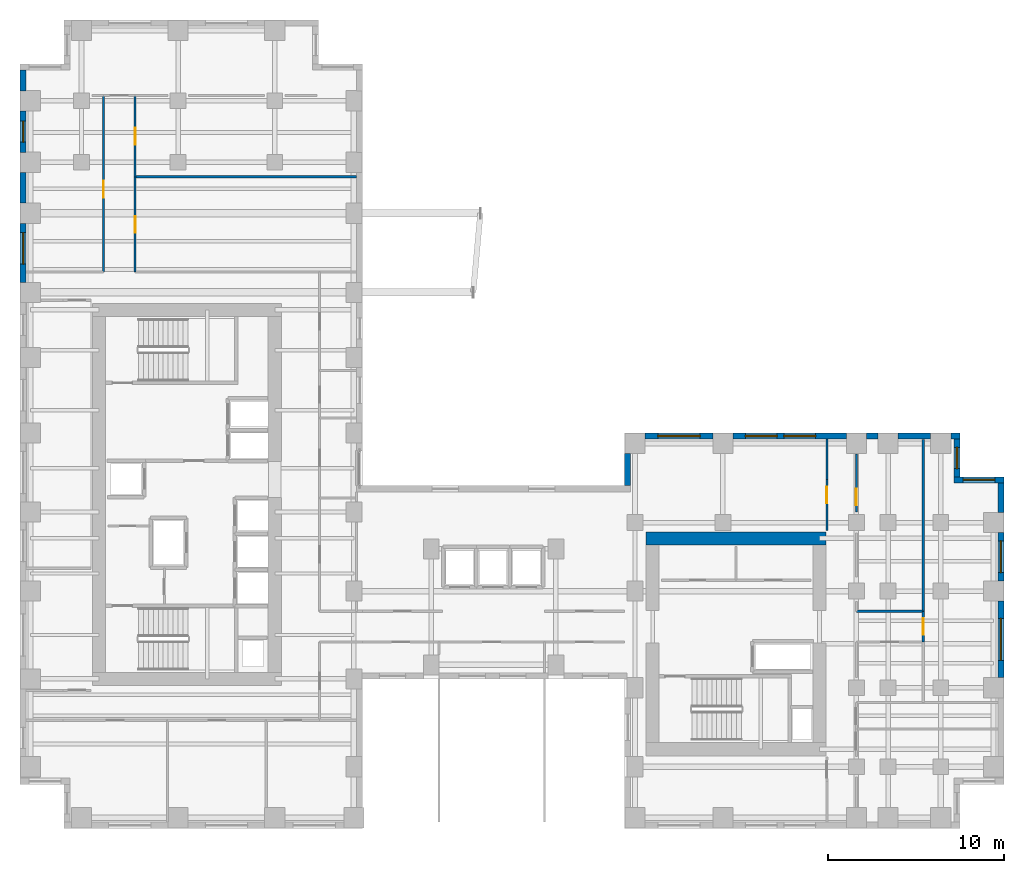
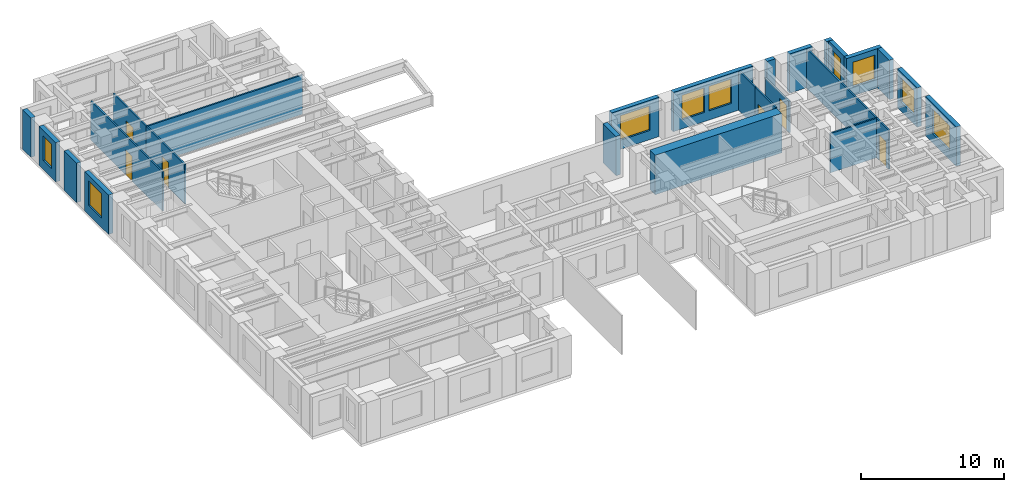
# One storey, part 10 of 13: 26 walls, 9 windows, 6 doors, 15 openings.
"""IFC4 building model written with IfcOpenShell, lengths in metres."""

from ifc_helpers import new_model, si_unit, direction, frame, frame_2d, origin, place, context, subcontext, project, spatial, rectangle, extrude, source, transform, mapped, material, layer, layer_set, type_object, element, fill, save


model = new_model("IFC4")

# Units and contexts
model_context = context("Model", 3, precision=1e-05, world=origin(), true_north=direction((0.0, 1.0)))
body_context = subcontext(model_context, "Body", "Model", "MODEL_VIEW")
ifc_project = project(units=[si_unit("LENGTHUNIT", "METRE"), si_unit("AREAUNIT", "SQUARE_METRE"), si_unit("VOLUMEUNIT", "CUBIC_METRE"), si_unit("PLANEANGLEUNIT", "RADIAN"), si_unit("MASSUNIT", "GRAM", prefix="KILO")], contexts=[model_context])

# Site, building, storey
site_placement = place(None, origin())
site = spatial("IfcSite", under=ifc_project, at=site_placement, CompositionType="ELEMENT")
building_placement = place(site_placement, origin())
building = spatial("IfcBuilding", under=site, at=building_placement, Name="Kharzan Plaza Tower", CompositionType="ELEMENT")
storey_placement = place(building_placement, frame((0.0, 0.0, 95.39990234375)))
storey = spatial("IfcBuildingStorey", under=building, at=storey_placement, Name="L25", CompositionType="ELEMENT", Elevation=95.39990234375)

# Wall, opening, window
ifc_material_1 = material(Name="Concrete C40/50", Category="concrete")
ifc_layer_1 = layer(ifc_material_1, 0.35009765625)
ifc_layer_set_1 = layer_set([ifc_layer_1], Name="Concrete C40/50")
wall_type_1 = type_object("IfcWallType", Name="WL-EXT-MAS-Z2", PredefinedType="SOLIDWALL", material=ifc_layer_set_1)
wall_1_placement = place(storey_placement, frame((0.175048828125, 40.826904296875, 0.0), z_axis=(0.0, 0.0, 1.0), x_axis=(0.0, -1.0, 0.0)))
wall_1 = element("IfcWall", 1, at=wall_1_placement, inside=storey, type_object=wall_type_1, Name="L25 Masonry-Frame Exterior Wall 17", PredefinedType="SOLIDWALL", context=body_context, shape_type="SweptSolid", body=[
    extrude(rectangle(XDim=2.35400390625, YDim=0.35009765625, at=frame_2d((1.177001953125, 0.0))), origin(), (0.0, 0.0, 1.0), 3.364990234375),
])
opening_1_placement = place(wall_1_placement, frame((0.576904296875, 0.0, 0.780029296875)))
opening_1 = element("IfcOpeningElement", 2, at=opening_1_placement, cuts=wall_1, Name="Opening W3", PredefinedType="OPENING", context=body_context, shape_type="SweptSolid", body=[
    extrude(rectangle(XDim=1.199951171875, YDim=2.10009765625, at=frame_2d((0.60009765625, 1.050048828125))), frame((0.0, 0.18505859375, 0.0), z_axis=(0.0, -1.0, 0.0), x_axis=(1.0, 0.0, 0.0)), (0.0, 0.0, 1.0), 0.3701171875),
])
ifc_material_2 = material(Name="Low-E Double Glazing", Category="glass")
window_type_1 = type_object("IfcWindowType", Name="WN-REC-1200x2100", PartitioningType="SINGLE_PANEL", PredefinedType="WINDOW", material=ifc_material_2)
shared_shape_1 = source(origin(), body_context, "Body", "SweptSolid", [
    extrude(rectangle(XDim=1.199951171875, YDim=2.10009765625, at=frame_2d((0.60009765625, 1.050048828125))), frame((0.0, 0.030029296875, 0.0), z_axis=(0.0, -1.0, 0.0), x_axis=(1.0, 0.0, 0.0)), (0.0, 0.0, 1.0), 0.06005859375),
])
window_1_placement = place(opening_1_placement, origin())
window_1 = element("IfcWindow", 3, at=window_1_placement, inside=storey, type_object=window_type_1, Name="L25 Recessed Solar-Control Window 17-1", OverallHeight=2.10009765625, OverallWidth=1.199951171875, PartitioningType="SINGLE_PANEL", PredefinedType="WINDOW", context=body_context, shape_type="MappedRepresentation", body=[
    mapped(shared_shape_1, transform((0.0, 0.0, 0.0), x_axis=(1.0, 0.0, 0.0), y_axis=(0.0, 1.0, 0.0), z_axis=(0.0, 0.0, 1.0))),
])
fill(opening_1, window_1)

wall_2_placement = place(storey_placement, frame((0.175048828125, 34.427001953125, 0.0), z_axis=(0.0, 0.0, 1.0), x_axis=(0.0, -1.0, 0.0)))
wall_2 = element("IfcWall", 4, at=wall_2_placement, inside=storey, type_object=wall_type_1, Name="L25 Masonry-Frame Exterior Wall 19", PredefinedType="SOLIDWALL", context=body_context, shape_type="SweptSolid", body=[
    extrude(rectangle(XDim=3.35400390625, YDim=0.35009765625, at=frame_2d((1.677001953125, 0.0))), origin(), (0.0, 0.0, 1.0), 3.364990234375),
])
opening_2_placement = place(wall_2_placement, frame((0.5234375, 0.0, 0.780029296875)))
opening_2 = element("IfcOpeningElement", 5, at=opening_2_placement, cuts=wall_2, Name="Opening W1", PredefinedType="OPENING", context=body_context, shape_type="SweptSolid", body=[
    extrude(rectangle(XDim=1.800048828125, YDim=2.10009765625, at=frame_2d((0.89990234375, 1.050048828125))), frame((0.0, 0.18505859375, 0.0), z_axis=(0.0, -1.0, 0.0), x_axis=(1.0, 0.0, 0.0)), (0.0, 0.0, 1.0), 0.3701171875),
])
window_type_2 = type_object("IfcWindowType", Name="WN-REC-1800x2100", PartitioningType="SINGLE_PANEL", PredefinedType="WINDOW", material=ifc_material_2)
shared_shape_2 = source(origin(), body_context, "Body", "SweptSolid", [
    extrude(rectangle(XDim=1.800048828125, YDim=2.10009765625, at=frame_2d((0.89990234375, 1.050048828125))), frame((0.0, 0.030029296875, 0.0), z_axis=(0.0, -1.0, 0.0), x_axis=(1.0, 0.0, 0.0)), (0.0, 0.0, 1.0), 0.06005859375),
])
window_2_placement = place(opening_2_placement, origin())
window_2 = element("IfcWindow", 6, at=window_2_placement, inside=storey, type_object=window_type_2, Name="L25 Recessed Solar-Control Window 19-1", OverallHeight=2.10009765625, OverallWidth=1.800048828125, PartitioningType="SINGLE_PANEL", PredefinedType="WINDOW", context=body_context, shape_type="MappedRepresentation", body=[
    mapped(shared_shape_2, transform((0.0, 0.0, 0.0), x_axis=(1.0, 0.0, 0.0), y_axis=(0.0, 1.0, 0.0), z_axis=(0.0, 0.0, 1.0))),
])
fill(opening_2, window_2)

wall_3_placement = place(storey_placement, frame((55.824951171875, 8.572998046875, 0.0), z_axis=(0.0, 0.0, 1.0), x_axis=(0.0, 1.0, 0.0)))
wall_3 = element("IfcWall", 7, at=wall_3_placement, inside=storey, type_object=wall_type_1, Name="L25 Masonry-Frame Exterior Wall 47", PredefinedType="SOLIDWALL", context=body_context, shape_type="SweptSolid", body=[
    extrude(rectangle(XDim=4.35400390625, YDim=0.35009765625, at=frame_2d((2.177001953125, 0.0))), origin(), (0.0, 0.0, 1.0), 3.364990234375),
])
opening_3_placement = place(wall_3_placement, frame((0.97705078125, 0.0, 0.780029296875)))
opening_3 = element("IfcOpeningElement", 8, at=opening_3_placement, cuts=wall_3, Name="Opening W2", PredefinedType="OPENING", context=body_context, shape_type="SweptSolid", body=[
    extrude(rectangle(XDim=2.39990234375, YDim=2.10009765625, at=frame_2d((1.199951171875, 1.050048828125))), frame((0.0, 0.18505859375, 0.0), z_axis=(0.0, -1.0, 0.0), x_axis=(1.0, 0.0, 0.0)), (0.0, 0.0, 1.0), 0.3701171875),
])
window_type_3 = type_object("IfcWindowType", Name="WN-REC-2400x2100", PartitioningType="SINGLE_PANEL", PredefinedType="WINDOW", material=ifc_material_2)
shared_shape_3 = source(origin(), body_context, "Body", "SweptSolid", [
    extrude(rectangle(XDim=2.39990234375, YDim=2.10009765625, at=frame_2d((1.199951171875, 1.050048828125))), frame((0.0, 0.030029296875, 0.0), z_axis=(0.0, -1.0, 0.0), x_axis=(1.0, 0.0, 0.0)), (0.0, 0.0, 1.0), 0.06005859375),
])
window_3_placement = place(opening_3_placement, origin())
window_3 = element("IfcWindow", 9, at=window_3_placement, inside=storey, type_object=window_type_3, Name="L25 Wide Recessed Solar-Control Window 47-1", OverallHeight=2.10009765625, OverallWidth=2.39990234375, PartitioningType="SINGLE_PANEL", PredefinedType="WINDOW", context=body_context, shape_type="MappedRepresentation", body=[
    mapped(shared_shape_3, transform((0.0, 0.0, 0.0), x_axis=(1.0, 0.0, 0.0), y_axis=(0.0, 1.0, 0.0), z_axis=(0.0, 0.0, 1.0))),
])
fill(opening_3, window_3)

wall_4_placement = place(storey_placement, frame((55.824951171875, 14.072998046875, 0.0), z_axis=(0.0, 0.0, 1.0), x_axis=(0.0, 1.0, 0.0)))
wall_4 = element("IfcWall", 10, at=wall_4_placement, inside=storey, type_object=wall_type_1, Name="L25 Masonry-Frame Exterior Wall 48", PredefinedType="SOLIDWALL", context=body_context, shape_type="SweptSolid", body=[
    extrude(rectangle(XDim=2.75390625, YDim=0.35009765625, at=frame_2d((1.376953125, 0.0))), origin(), (0.0, 0.0, 1.0), 3.364990234375),
])
opening_4_placement = place(wall_4_placement, frame((0.47705078125, 0.0, 0.780029296875)))
opening_4 = element("IfcOpeningElement", 11, at=opening_4_placement, cuts=wall_4, Name="Opening W1", PredefinedType="OPENING", context=body_context, shape_type="SweptSolid", body=[
    extrude(rectangle(XDim=1.800048828125, YDim=2.10009765625, at=frame_2d((0.89990234375, 1.050048828125))), frame((0.0, 0.18505859375, 0.0), z_axis=(0.0, -1.0, 0.0), x_axis=(1.0, 0.0, 0.0)), (0.0, 0.0, 1.0), 0.3701171875),
])
window_4_placement = place(opening_4_placement, origin())
window_4 = element("IfcWindow", 12, at=window_4_placement, inside=storey, type_object=window_type_2, Name="L25 Recessed Solar-Control Window 48-1", OverallHeight=2.10009765625, OverallWidth=1.800048828125, PartitioningType="SINGLE_PANEL", PredefinedType="WINDOW", context=body_context, shape_type="MappedRepresentation", body=[
    mapped(shared_shape_2, transform((0.0, 0.0, 0.0), x_axis=(1.0, 0.0, 0.0), y_axis=(0.0, 1.0, 0.0), z_axis=(0.0, 0.0, 1.0))),
])
fill(opening_4, window_4)

wall_5_placement = place(storey_placement, frame((56.0, 19.824951171875, 0.0), z_axis=(0.0, 0.0, 1.0), x_axis=(-1.0, 0.0, 0.0)))
wall_5 = element("IfcWall", 13, at=wall_5_placement, inside=storey, type_object=wall_type_1, Name="L25 Masonry-Frame Exterior Wall 50", PredefinedType="SOLIDWALL", context=body_context, shape_type="SweptSolid", body=[
    extrude(rectangle(XDim=2.85009765625, YDim=0.35009765625, at=frame_2d((1.425048828125, 0.0))), origin(), (0.0, 0.0, 1.0), 3.364990234375),
])
opening_5_placement = place(wall_5_placement, frame((0.52490234375, 0.0, 0.780029296875)))
opening_5 = element("IfcOpeningElement", 14, at=opening_5_placement, cuts=wall_5, Name="Opening W1", PredefinedType="OPENING", context=body_context, shape_type="SweptSolid", body=[
    extrude(rectangle(XDim=1.800048828125, YDim=2.10009765625, at=frame_2d((0.89990234375, 1.050048828125))), frame((0.0, 0.18505859375, 0.0), z_axis=(0.0, -1.0, 0.0), x_axis=(1.0, 0.0, 0.0)), (0.0, 0.0, 1.0), 0.3701171875),
])
window_5_placement = place(opening_5_placement, origin())
window_5 = element("IfcWindow", 15, at=window_5_placement, inside=storey, type_object=window_type_2, Name="L25 Recessed Solar-Control Window 50-1", OverallHeight=2.10009765625, OverallWidth=1.800048828125, PartitioningType="SINGLE_PANEL", PredefinedType="WINDOW", context=body_context, shape_type="MappedRepresentation", body=[
    mapped(shared_shape_2, transform((0.0, 0.0, 0.0), x_axis=(1.0, 0.0, 0.0), y_axis=(0.0, 1.0, 0.0), z_axis=(0.0, 0.0, 1.0))),
])
fill(opening_5, window_5)

wall_6_placement = place(storey_placement, frame((53.324951171875, 19.998046875, 0.0), z_axis=(0.0, 0.0, 1.0), x_axis=(0.0, 1.0, 0.0)))
wall_6 = element("IfcWall", 16, at=wall_6_placement, inside=storey, type_object=wall_type_1, Name="L25 Masonry-Frame Exterior Wall 51", PredefinedType="SOLIDWALL", context=body_context, shape_type="SweptSolid", body=[
    extrude(rectangle(XDim=2.154052734375, YDim=0.35009765625, at=frame_2d((1.0771484375, 0.0))), origin(), (0.0, 0.0, 1.0), 3.364990234375),
])
opening_6_placement = place(wall_6_placement, frame((0.47705078125, 0.0, 0.780029296875)))
opening_6 = element("IfcOpeningElement", 17, at=opening_6_placement, cuts=wall_6, Name="Opening W3", PredefinedType="OPENING", context=body_context, shape_type="SweptSolid", body=[
    extrude(rectangle(XDim=1.199951171875, YDim=2.10009765625, at=frame_2d((0.60009765625, 1.050048828125))), frame((0.0, 0.18505859375, 0.0), z_axis=(0.0, -1.0, 0.0), x_axis=(1.0, 0.0, 0.0)), (0.0, 0.0, 1.0), 0.3701171875),
])
window_6_placement = place(opening_6_placement, origin())
window_6 = element("IfcWindow", 18, at=window_6_placement, inside=storey, type_object=window_type_1, Name="L25 Recessed Solar-Control Window 51-1", OverallHeight=2.10009765625, OverallWidth=1.199951171875, PartitioningType="SINGLE_PANEL", PredefinedType="WINDOW", context=body_context, shape_type="MappedRepresentation", body=[
    mapped(shared_shape_1, transform((0.0, 0.0, 0.0), x_axis=(1.0, 0.0, 0.0), y_axis=(0.0, 1.0, 0.0), z_axis=(0.0, 0.0, 1.0))),
])
fill(opening_6, window_6)

# Wall, openings, windows
wall_7_placement = place(storey_placement, frame((47.027099609375, 22.324951171875, 0.0), z_axis=(0.0, 0.0, 1.0), x_axis=(-1.0, 0.0, 0.0)))
wall_7 = element("IfcWall", 19, at=wall_7_placement, inside=storey, type_object=wall_type_1, Name="L25 Masonry-Frame Exterior Wall 55", PredefinedType="SOLIDWALL", context=body_context, shape_type="SweptSolid", body=[
    extrude(rectangle(XDim=6.4541015625, YDim=0.35009765625, at=frame_2d((3.22705078125, 0.0))), origin(), (0.0, 0.0, 1.0), 3.364990234375),
])
opening_7_placement = place(wall_7_placement, frame((1.749267578125, 0.0, 0.780029296875)))
opening_7 = element("IfcOpeningElement", 20, at=opening_7_placement, cuts=wall_7, Name="Opening W1", PredefinedType="OPENING", context=body_context, shape_type="SweptSolid", body=[
    extrude(rectangle(XDim=1.800048828125, YDim=2.10009765625, at=frame_2d((0.89990234375, 1.050048828125))), frame((0.0, 0.18505859375, 0.0), z_axis=(0.0, -1.0, 0.0), x_axis=(1.0, 0.0, 0.0)), (0.0, 0.0, 1.0), 0.3701171875),
])
opening_8_placement = place(wall_7_placement, frame((3.941650390625, 0.0, 0.780029296875)))
opening_8 = element("IfcOpeningElement", 21, at=opening_8_placement, cuts=wall_7, Name="Opening W1", PredefinedType="OPENING", context=body_context, shape_type="SweptSolid", body=[
    extrude(rectangle(XDim=1.800048828125, YDim=2.10009765625, at=frame_2d((0.89990234375, 1.050048828125))), frame((0.0, 0.18505859375, 0.0), z_axis=(0.0, -1.0, 0.0), x_axis=(1.0, 0.0, 0.0)), (0.0, 0.0, 1.0), 0.3701171875),
])
window_7_placement = place(opening_7_placement, origin())
window_7 = element("IfcWindow", 22, at=window_7_placement, inside=storey, type_object=window_type_2, Name="L25 Recessed Solar-Control Window 55-1", OverallHeight=2.10009765625, OverallWidth=1.800048828125, PartitioningType="SINGLE_PANEL", PredefinedType="WINDOW", context=body_context, shape_type="MappedRepresentation", body=[
    mapped(shared_shape_2, transform((0.0, 0.0, 0.0), x_axis=(1.0, 0.0, 0.0), y_axis=(0.0, 1.0, 0.0), z_axis=(0.0, 0.0, 1.0))),
])
fill(opening_7, window_7)
window_8_placement = place(opening_8_placement, origin())
window_8 = element("IfcWindow", 23, at=window_8_placement, inside=storey, type_object=window_type_2, Name="L25 Recessed Solar-Control Window 55-2", OverallHeight=2.10009765625, OverallWidth=1.800048828125, PartitioningType="SINGLE_PANEL", PredefinedType="WINDOW", context=body_context, shape_type="MappedRepresentation", body=[
    mapped(shared_shape_2, transform((0.0, 0.0, 0.0), x_axis=(1.0, 0.0, 0.0), y_axis=(0.0, 1.0, 0.0), z_axis=(0.0, 0.0, 1.0))),
])
fill(opening_8, window_8)

# Wall, opening, window
wall_8_placement = place(storey_placement, frame((39.427001953125, 22.324951171875, 0.0), z_axis=(0.0, 0.0, 1.0), x_axis=(-1.0, 0.0, 0.0)))
wall_8 = element("IfcWall", 24, at=wall_8_placement, inside=storey, type_object=wall_type_1, Name="L25 Masonry-Frame Exterior Wall 56", PredefinedType="SOLIDWALL", context=body_context, shape_type="SweptSolid", body=[
    extrude(rectangle(XDim=3.85400390625, YDim=0.35009765625, at=frame_2d((1.927001953125, 0.0))), origin(), (0.0, 0.0, 1.0), 3.364990234375),
])
opening_9_placement = place(wall_8_placement, frame((0.72705078125, 0.0, 0.780029296875)))
opening_9 = element("IfcOpeningElement", 25, at=opening_9_placement, cuts=wall_8, Name="Opening W2", PredefinedType="OPENING", context=body_context, shape_type="SweptSolid", body=[
    extrude(rectangle(XDim=2.39990234375, YDim=2.10009765625, at=frame_2d((1.199951171875, 1.050048828125))), frame((0.0, 0.18505859375, 0.0), z_axis=(0.0, -1.0, 0.0), x_axis=(1.0, 0.0, 0.0)), (0.0, 0.0, 1.0), 0.3701171875),
])
window_9_placement = place(opening_9_placement, origin())
window_9 = element("IfcWindow", 26, at=window_9_placement, inside=storey, type_object=window_type_3, Name="L25 Wide Recessed Solar-Control Window 56-1", OverallHeight=2.10009765625, OverallWidth=2.39990234375, PartitioningType="SINGLE_PANEL", PredefinedType="WINDOW", context=body_context, shape_type="MappedRepresentation", body=[
    mapped(shared_shape_3, transform((0.0, 0.0, 0.0), x_axis=(1.0, 0.0, 0.0), y_axis=(0.0, 1.0, 0.0), z_axis=(0.0, 0.0, 1.0))),
])
fill(opening_9, window_9)

# Wall, opening, door
ifc_material_3 = material(Name="Fire-Rated Gypsum Board Partition", Category="gypsum")
ifc_layer_2 = layer(ifc_material_3, 0.125)
ifc_layer_set_2 = layer_set([ifc_layer_2], Name="Fire-Rated Gypsum Board Partition")
wall_type_2 = type_object("IfcWallType", Name="WL-INT-PART-125", PredefinedType="PARTITIONING", material=ifc_layer_set_2)
wall_9_placement = place(storey_placement, frame((51.39990234375, 10.60009765625, 0.0), z_axis=(0.0, 0.0, 1.0), x_axis=(0.0, 1.0, 0.0)))
wall_9 = element("IfcWall", 27, at=wall_9_placement, inside=storey, type_object=wall_type_2, Name="L25 Interior Partition SH-B2E2", PredefinedType="PARTITIONING", context=body_context, shape_type="SweptSolid", body=[
    extrude(rectangle(XDim=1.75, YDim=0.125, at=frame_2d((0.875, 0.0))), origin(), (0.0, 0.0, 1.0), 3.364990234375),
])
opening_10_placement = place(wall_9_placement, frame((0.39990234375, 0.0, 0.0)))
opening_10 = element("IfcOpeningElement", 28, at=opening_10_placement, cuts=wall_9, Name="Opening OD1", PredefinedType="OPENING", context=body_context, shape_type="SweptSolid", body=[
    extrude(rectangle(XDim=0.949951171875, YDim=2.14990234375, at=frame_2d((0.47509765625, 1.074951171875))), frame((0.0, 0.072509765625, 0.0), z_axis=(0.0, -1.0, 0.0), x_axis=(1.0, 0.0, 0.0)), (0.0, 0.0, 1.0), 0.14501953125),
])
ifc_material_4 = material(Name="Acoustic Solid-Core Stained Oak", Category="timber")
door_type = type_object("IfcDoorType", Name="DR-OFF-SINGLE", OperationType="NOTDEFINED", PredefinedType="DOOR", material=ifc_material_4)
shared_shape_4 = source(origin(), body_context, "Body", "SweptSolid", [
    extrude(rectangle(XDim=0.949951171875, YDim=2.14990234375, at=frame_2d((0.47509765625, 1.074951171875))), frame((0.0, 0.02490234375, 0.0), z_axis=(0.0, -1.0, 0.0), x_axis=(1.0, 0.0, 0.0)), (0.0, 0.0, 1.0), 0.050048828125),
])
door_1_placement = place(opening_10_placement, origin())
door_1 = element("IfcDoor", 29, at=door_1_placement, inside=storey, type_object=door_type, Name="L25 East Boardroom Door", OperationType="SINGLE_SWING_RIGHT", OverallHeight=2.14990234375, OverallWidth=0.949951171875, PredefinedType="DOOR", context=body_context, shape_type="MappedRepresentation", body=[
    mapped(shared_shape_4, transform((0.0, 0.0, 0.0), x_axis=(1.0, 0.0, 0.0), y_axis=(0.0, 1.0, 0.0), z_axis=(0.0, 0.0, 1.0))),
])
fill(opening_10, door_1)

wall_10_placement = place(storey_placement, frame((47.60009765625, 17.989990234375, 0.0), z_axis=(0.0, 0.0, 1.0), x_axis=(0.0, 1.0, 0.0)))
wall_10 = element("IfcWall", 30, at=wall_10_placement, inside=storey, type_object=wall_type_2, Name="L25 Interior Partition SH-B2W3D-S2", PredefinedType="PARTITIONING", context=body_context, shape_type="SweptSolid", body=[
    extrude(rectangle(XDim=3.320068359375, YDim=0.125, at=frame_2d((1.66015625, 0.0))), origin(), (0.0, 0.0, 1.0), 2.677001953125),
])
opening_11_placement = place(wall_10_placement, frame((0.381103515625, 0.0, 0.0)))
opening_11 = element("IfcOpeningElement", 31, at=opening_11_placement, cuts=wall_10, Name="Opening OD1", PredefinedType="OPENING", context=body_context, shape_type="SweptSolid", body=[
    extrude(rectangle(XDim=0.949951171875, YDim=2.14990234375, at=frame_2d((0.47509765625, 1.074951171875))), frame((0.0, 0.072509765625, 0.0), z_axis=(0.0, -1.0, 0.0), x_axis=(1.0, 0.0, 0.0)), (0.0, 0.0, 1.0), 0.14501953125),
])
door_2_placement = place(opening_11_placement, origin())
door_2 = element("IfcDoor", 32, at=door_2_placement, inside=storey, type_object=door_type, Name="L25 Spur North Office Door", OperationType="SINGLE_SWING_RIGHT", OverallHeight=2.14990234375, OverallWidth=0.949951171875, PredefinedType="DOOR", context=body_context, shape_type="MappedRepresentation", body=[
    mapped(shared_shape_4, transform((0.0, 0.0, 0.0), x_axis=(1.0, 0.0, 0.0), y_axis=(0.0, 1.0, 0.0), z_axis=(0.0, 0.0, 1.0))),
])
fill(opening_11, door_2)

wall_11_placement = place(storey_placement, frame((45.919921875, 16.949951171875, 0.0), z_axis=(0.0, 0.0, 1.0), x_axis=(0.0, 1.0, 0.0)))
wall_11 = element("IfcWall", 33, at=wall_11_placement, inside=storey, type_object=wall_type_2, Name="L25 Interior Partition SH-RBNE", PredefinedType="PARTITIONING", context=body_context, shape_type="SweptSolid", body=[
    extrude(rectangle(XDim=2.900146484375, YDim=0.125, at=frame_2d((1.4501953125, 0.0))), origin(), (0.0, 0.0, 1.0), 3.364990234375),
])
opening_12_placement = place(wall_11_placement, frame((1.54296875, 0.0, 0.0)))
opening_12 = element("IfcOpeningElement", 34, at=opening_12_placement, cuts=wall_11, Name="Opening OD1", PredefinedType="OPENING", context=body_context, shape_type="SweptSolid", body=[
    extrude(rectangle(XDim=0.949951171875, YDim=2.14990234375, at=frame_2d((0.47509765625, 1.074951171875))), frame((0.0, 0.072509765625, 0.0), z_axis=(0.0, -1.0, 0.0), x_axis=(1.0, 0.0, 0.0)), (0.0, 0.0, 1.0), 0.14501953125),
])
door_3_placement = place(opening_12_placement, origin())
door_3 = element("IfcDoor", 35, at=door_3_placement, inside=storey, type_object=door_type, Name="L25 Wing B North Studio Door", OperationType="SINGLE_SWING_RIGHT", OverallHeight=2.14990234375, OverallWidth=0.949951171875, PredefinedType="DOOR", context=body_context, shape_type="MappedRepresentation", body=[
    mapped(shared_shape_4, transform((0.0, 0.0, 0.0), x_axis=(1.0, 0.0, 0.0), y_axis=(0.0, 1.0, 0.0), z_axis=(0.0, 0.0, 1.0))),
])
fill(opening_12, door_3)

wall_12_placement = place(storey_placement, frame((6.550048828125, 31.64990234375, 0.0), z_axis=(0.0, 0.0, 1.0), x_axis=(0.0, 1.0, 0.0)))
wall_12 = element("IfcWall", 36, at=wall_12_placement, inside=storey, type_object=wall_type_2, Name="L25 Interior Partition SH-SPE-1", PredefinedType="PARTITIONING", context=body_context, shape_type="SweptSolid", body=[
    extrude(rectangle(XDim=5.427001953125, YDim=0.125, at=frame_2d((2.71337890625, 0.0))), origin(), (0.0, 0.0, 1.0), 3.364990234375),
])
opening_13_placement = place(wall_12_placement, frame((2.238525390625, 0.0, 0.0)))
opening_13 = element("IfcOpeningElement", 37, at=opening_13_placement, cuts=wall_12, Name="Opening OD1", PredefinedType="OPENING", context=body_context, shape_type="SweptSolid", body=[
    extrude(rectangle(XDim=0.949951171875, YDim=2.14990234375, at=frame_2d((0.47509765625, 1.074951171875))), frame((0.0, 0.072509765625, 0.0), z_axis=(0.0, -1.0, 0.0), x_axis=(1.0, 0.0, 0.0)), (0.0, 0.0, 1.0), 0.14501953125),
])
door_4_placement = place(opening_13_placement, origin())
door_4 = element("IfcDoor", 38, at=door_4_placement, inside=storey, type_object=door_type, Name="L25 Materials Testing Lab Door", OperationType="SINGLE_SWING_RIGHT", OverallHeight=2.14990234375, OverallWidth=0.949951171875, PredefinedType="DOOR", context=body_context, shape_type="MappedRepresentation", body=[
    mapped(shared_shape_4, transform((0.0, 0.0, 0.0), x_axis=(1.0, 0.0, 0.0), y_axis=(0.0, 1.0, 0.0), z_axis=(0.0, 0.0, 1.0))),
])
fill(opening_13, door_4)

wall_13_placement = place(storey_placement, frame((6.550048828125, 37.076904296875, 0.0), z_axis=(0.0, 0.0, 1.0), x_axis=(0.0, 1.0, 0.0)))
wall_13 = element("IfcWall", 39, at=wall_13_placement, inside=storey, type_object=wall_type_2, Name="L25 Interior Partition SH-SPE-2", PredefinedType="PARTITIONING", context=body_context, shape_type="SweptSolid", body=[
    extrude(rectangle(XDim=4.623046875, YDim=0.125, at=frame_2d((2.3115234375, 0.0))), origin(), (0.0, 0.0, 1.0), 3.364990234375),
])
opening_14_placement = place(wall_13_placement, frame((1.83642578125, 0.0, 0.0)))
opening_14 = element("IfcOpeningElement", 40, at=opening_14_placement, cuts=wall_13, Name="Opening OD1", PredefinedType="OPENING", context=body_context, shape_type="SweptSolid", body=[
    extrude(rectangle(XDim=0.949951171875, YDim=2.14990234375, at=frame_2d((0.47509765625, 1.074951171875))), frame((0.0, 0.072509765625, 0.0), z_axis=(0.0, -1.0, 0.0), x_axis=(1.0, 0.0, 0.0)), (0.0, 0.0, 1.0), 0.14501953125),
])
door_5_placement = place(opening_14_placement, origin())
door_5 = element("IfcDoor", 41, at=door_5_placement, inside=storey, type_object=door_type, Name="L25 Instrumentation Calibration Lab Door", OperationType="SINGLE_SWING_LEFT", OverallHeight=2.14990234375, OverallWidth=0.949951171875, PredefinedType="DOOR", context=body_context, shape_type="MappedRepresentation", body=[
    mapped(shared_shape_4, transform((0.0, 0.0, 0.0), x_axis=(1.0, 0.0, 0.0), y_axis=(0.0, 1.0, 0.0), z_axis=(0.0, 0.0, 1.0))),
])
fill(opening_14, door_5)

wall_14_placement = place(storey_placement, frame((4.75, 31.64990234375, 0.0), z_axis=(0.0, 0.0, 1.0), x_axis=(0.0, 1.0, 0.0)))
wall_14 = element("IfcWall", 42, at=wall_14_placement, inside=storey, type_object=wall_type_2, Name="L25 Interior Partition SH-SPW-1", PredefinedType="PARTITIONING", context=body_context, shape_type="SweptSolid", body=[
    extrude(rectangle(XDim=10.050048828125, YDim=0.125, at=frame_2d((5.02490234375, 0.0))), origin(), (0.0, 0.0, 1.0), 3.364990234375),
])
opening_15_placement = place(wall_14_placement, frame((4.2451171875, 0.0, 0.0)))
opening_15 = element("IfcOpeningElement", 43, at=opening_15_placement, cuts=wall_14, Name="Opening OD1", PredefinedType="OPENING", context=body_context, shape_type="SweptSolid", body=[
    extrude(rectangle(XDim=0.949951171875, YDim=2.14990234375, at=frame_2d((0.47509765625, 1.074951171875))), frame((0.0, 0.072509765625, 0.0), z_axis=(0.0, -1.0, 0.0), x_axis=(1.0, 0.0, 0.0)), (0.0, 0.0, 1.0), 0.14501953125),
])
door_6_placement = place(opening_15_placement, origin())
door_6 = element("IfcDoor", 44, at=door_6_placement, inside=storey, type_object=door_type, Name="L25 Staff Tea Pantry Door", OperationType="SINGLE_SWING_LEFT", OverallHeight=2.14990234375, OverallWidth=0.949951171875, PredefinedType="DOOR", context=body_context, shape_type="MappedRepresentation", body=[
    mapped(shared_shape_4, transform((0.0, 0.0, 0.0), x_axis=(1.0, 0.0, 0.0), y_axis=(0.0, 1.0, 0.0), z_axis=(0.0, 0.0, 1.0))),
])
fill(opening_15, door_6)

# Walls
shared_shape_5 = source(origin(), body_context, "Body", "SweptSolid", [
    extrude(rectangle(XDim=2.2978515625, YDim=0.125, at=frame_2d((1.14892578125, 0.0))), origin(), (0.0, 0.0, 1.0), 3.364990234375),
])
wall_15_placement = place(storey_placement, frame((45.919921875, 19.85009765625, 0.0), z_axis=(0.0, 0.0, 1.0), x_axis=(0.0, 1.0, 0.0)))
element("IfcWall", 45, at=wall_15_placement, inside=storey, type_object=wall_type_2, Name="L25 Interior Partition SH-RBNE0", PredefinedType="PARTITIONING", context=body_context, shape_type="MappedRepresentation", body=[
    mapped(shared_shape_5, transform((0.0, 0.0, 0.0), x_axis=(1.0, 0.0, 0.0), y_axis=(0.0, 1.0, 0.0), z_axis=(0.0, 0.0, 1.0))),
])
shared_shape_6 = source(origin(), body_context, "Body", "SweptSolid", [
    extrude(rectangle(XDim=3.7998046875, YDim=0.125, at=frame_2d((1.89990234375, 0.0))), origin(), (0.0, 0.0, 1.0), 3.364990234375),
])
wall_16_placement = place(storey_placement, frame((47.60009765625, 12.35009765625, 0.0), z_axis=(0.0, 0.0, 1.0), x_axis=(1.0, 0.0, 0.0)))
element("IfcWall", 46, at=wall_16_placement, inside=storey, type_object=wall_type_2, Name="L25 Interior Partition SH-B2N3", PredefinedType="PARTITIONING", context=body_context, shape_type="MappedRepresentation", body=[
    mapped(shared_shape_6, transform((0.0, 0.0, 0.0), x_axis=(1.0, 0.0, 0.0), y_axis=(0.0, 1.0, 0.0), z_axis=(0.0, 0.0, 1.0))),
])
shared_shape_7 = source(origin(), body_context, "Body", "SweptSolid", [
    extrude(rectangle(XDim=9.789794921875, YDim=0.125, at=frame_2d((4.89501953125, 0.0))), origin(), (0.0, 0.0, 1.0), 3.364990234375),
])
wall_17_placement = place(storey_placement, frame((51.39990234375, 12.35009765625, 0.0), z_axis=(0.0, 0.0, 1.0), x_axis=(0.0, 1.0, 0.0)))
element("IfcWall", 47, at=wall_17_placement, inside=storey, type_object=wall_type_2, Name="L25 Interior Partition SH-B2V2", PredefinedType="PARTITIONING", context=body_context, shape_type="MappedRepresentation", body=[
    mapped(shared_shape_7, transform((0.0, 0.0, 0.0), x_axis=(1.0, 0.0, 0.0), y_axis=(0.0, 1.0, 0.0), z_axis=(0.0, 0.0, 1.0))),
])
ifc_material_5 = material(Name="Concrete C60/75", Category="concrete")
ifc_layer_3 = layer(ifc_material_5, 0.75)
ifc_layer_set_3 = layer_set([ifc_layer_3], Name="Concrete C60/75")
wall_type_3 = type_object("IfcWallType", Name="WL-CORE-750", PredefinedType="SHEAR", material=ifc_layer_set_3)
shared_shape_8 = source(origin(), body_context, "Body", "SweptSolid", [
    extrude(rectangle(XDim=10.25, YDim=0.75, at=frame_2d((5.125, 0.0))), origin(), (0.0, 0.0, 1.0), 3.380126953125),
])
wall_18_placement = place(storey_placement, frame((35.625, 16.5, 0.0), z_axis=(0.0, 0.0, 1.0), x_axis=(1.0, 0.0, 0.0)))
element("IfcWall", 48, at=wall_18_placement, inside=storey, type_object=wall_type_3, Name="L25 CORE-B north RC shear wall", PredefinedType="SHEAR", context=body_context, shape_type="MappedRepresentation", body=[
    mapped(shared_shape_8, transform((0.0, 0.0, 0.0), x_axis=(1.0, 0.0, 0.0), y_axis=(0.0, 1.0, 0.0), z_axis=(0.0, 0.0, 1.0))),
])
shared_shape_9 = source(origin(), body_context, "Body", "SweptSolid", [
    extrude(rectangle(XDim=1.17919921875, YDim=0.35009765625, at=frame_2d((0.589599609375, 0.0))), origin(), (0.0, 0.0, 1.0), 3.364990234375),
])
wall_19_placement = place(storey_placement, frame((0.175048828125, 43.152099609375, 0.0), z_axis=(0.0, 0.0, 1.0), x_axis=(0.0, -1.0, 0.0)))
element("IfcWall", 49, at=wall_19_placement, inside=storey, type_object=wall_type_1, Name="L25 Masonry-Frame Exterior Wall 16", PredefinedType="SOLIDWALL", context=body_context, shape_type="MappedRepresentation", body=[
    mapped(shared_shape_9, transform((0.0, 0.0, 0.0), x_axis=(1.0, 0.0, 0.0), y_axis=(0.0, 1.0, 0.0), z_axis=(0.0, 0.0, 1.0))),
])
shared_shape_10 = source(origin(), body_context, "Body", "SweptSolid", [
    extrude(rectangle(XDim=1.75390625, YDim=0.35009765625, at=frame_2d((0.876953125, 0.0))), origin(), (0.0, 0.0, 1.0), 3.364990234375),
])
wall_20_placement = place(storey_placement, frame((0.175048828125, 37.326904296875, 0.0), z_axis=(0.0, 0.0, 1.0), x_axis=(0.0, -1.0, 0.0)))
element("IfcWall", 50, at=wall_20_placement, inside=storey, type_object=wall_type_1, Name="L25 Masonry-Frame Exterior Wall 18", PredefinedType="SOLIDWALL", context=body_context, shape_type="MappedRepresentation", body=[
    mapped(shared_shape_10, transform((0.0, 0.0, 0.0), x_axis=(1.0, 0.0, 0.0), y_axis=(0.0, 1.0, 0.0), z_axis=(0.0, 0.0, 1.0))),
])
shared_shape_11 = source(origin(), body_context, "Body", "SweptSolid", [
    extrude(rectangle(XDim=0.65380859375, YDim=0.35009765625, at=frame_2d((0.326904296875, 0.0))), origin(), (0.0, 0.0, 1.0), 3.364990234375),
])
wall_21_placement = place(storey_placement, frame((48.826904296875, 22.324951171875, 0.0), z_axis=(0.0, 0.0, 1.0), x_axis=(-1.0, 0.0, 0.0)))
element("IfcWall", 51, at=wall_21_placement, inside=storey, type_object=wall_type_1, Name="L25 Masonry-Frame Exterior Wall 54", PredefinedType="SOLIDWALL", context=body_context, shape_type="MappedRepresentation", body=[
    mapped(shared_shape_11, transform((0.0, 0.0, 0.0), x_axis=(1.0, 0.0, 0.0), y_axis=(0.0, 1.0, 0.0), z_axis=(0.0, 0.0, 1.0))),
])
shared_shape_12 = source(origin(), body_context, "Body", "SweptSolid", [
    extrude(rectangle(XDim=1.85400390625, YDim=0.35009765625, at=frame_2d((0.927001953125, 0.0))), origin(), (0.0, 0.0, 1.0), 3.364990234375),
])
wall_22_placement = place(storey_placement, frame((51.826904296875, 22.324951171875, 0.0), z_axis=(0.0, 0.0, 1.0), x_axis=(-1.0, 0.0, 0.0)))
element("IfcWall", 52, at=wall_22_placement, inside=storey, type_object=wall_type_1, Name="L25 Masonry-Frame Exterior Wall 53", PredefinedType="SOLIDWALL", context=body_context, shape_type="MappedRepresentation", body=[
    mapped(shared_shape_12, transform((0.0, 0.0, 0.0), x_axis=(1.0, 0.0, 0.0), y_axis=(0.0, 1.0, 0.0), z_axis=(0.0, 0.0, 1.0))),
])
shared_shape_13 = source(origin(), body_context, "Body", "SweptSolid", [
    extrude(rectangle(XDim=0.527099609375, YDim=0.35009765625, at=frame_2d((0.263671875, 0.0))), origin(), (0.0, 0.0, 1.0), 3.364990234375),
])
wall_23_placement = place(storey_placement, frame((53.5, 22.324951171875, 0.0), z_axis=(0.0, 0.0, 1.0), x_axis=(-1.0, 0.0, 0.0)))
element("IfcWall", 53, at=wall_23_placement, inside=storey, type_object=wall_type_1, Name="L25 Masonry-Frame Exterior Wall 52", PredefinedType="SOLIDWALL", context=body_context, shape_type="MappedRepresentation", body=[
    mapped(shared_shape_13, transform((0.0, 0.0, 0.0), x_axis=(1.0, 0.0, 0.0), y_axis=(0.0, 1.0, 0.0), z_axis=(0.0, 0.0, 1.0))),
])
shared_shape_14 = source(origin(), body_context, "Body", "SweptSolid", [
    extrude(rectangle(XDim=1.67919921875, YDim=0.35009765625, at=frame_2d((0.839599609375, 0.0))), origin(), (0.0, 0.0, 1.0), 3.364990234375),
])
wall_24_placement = place(storey_placement, frame((55.824951171875, 17.972900390625, 0.0), z_axis=(0.0, 0.0, 1.0), x_axis=(0.0, 1.0, 0.0)))
element("IfcWall", 54, at=wall_24_placement, inside=storey, type_object=wall_type_1, Name="L25 Masonry-Frame Exterior Wall 49", PredefinedType="SOLIDWALL", context=body_context, shape_type="MappedRepresentation", body=[
    mapped(shared_shape_14, transform((0.0, 0.0, 0.0), x_axis=(1.0, 0.0, 0.0), y_axis=(0.0, 1.0, 0.0), z_axis=(0.0, 0.0, 1.0))),
])
shared_shape_15 = source(origin(), body_context, "Body", "SweptSolid", [
    extrude(rectangle(XDim=12.597900390625, YDim=0.125, at=frame_2d((6.298828125, 0.0))), origin(), (0.0, 0.0, 1.0), 3.364990234375),
])
wall_25_placement = place(storey_placement, frame((6.550048828125, 37.076904296875, 0.0), z_axis=(0.0, 0.0, 1.0), x_axis=(1.0, 0.0, 0.0)))
element("IfcWall", 55, at=wall_25_placement, inside=storey, type_object=wall_type_2, Name="L25 Interior Partition SH-NEH-1", PredefinedType="PARTITIONING", context=body_context, shape_type="MappedRepresentation", body=[
    mapped(shared_shape_15, transform((0.0, 0.0, 0.0), x_axis=(1.0, 0.0, 0.0), y_axis=(0.0, 1.0, 0.0), z_axis=(0.0, 0.0, 1.0))),
])
shared_shape_16 = source(origin(), body_context, "Body", "SweptSolid", [
    extrude(rectangle(XDim=1.828857421875, YDim=0.35009765625, at=frame_2d((0.91455078125, 0.0))), origin(), (0.0, 0.0, 1.0), 3.364990234375),
])
wall_26_placement = place(storey_placement, frame((34.574951171875, 21.326904296875, 0.0), z_axis=(0.0, 0.0, 1.0), x_axis=(0.0, -1.0, 0.0)))
element("IfcWall", 56, at=wall_26_placement, inside=storey, type_object=wall_type_1, Name="L25 Masonry-Frame Exterior Wall 57", PredefinedType="SOLIDWALL", context=body_context, shape_type="MappedRepresentation", body=[
    mapped(shared_shape_16, transform((0.0, 0.0, 0.0), x_axis=(1.0, 0.0, 0.0), y_axis=(0.0, 1.0, 0.0), z_axis=(0.0, 0.0, 1.0))),
])

save(model, "model.ifc")
